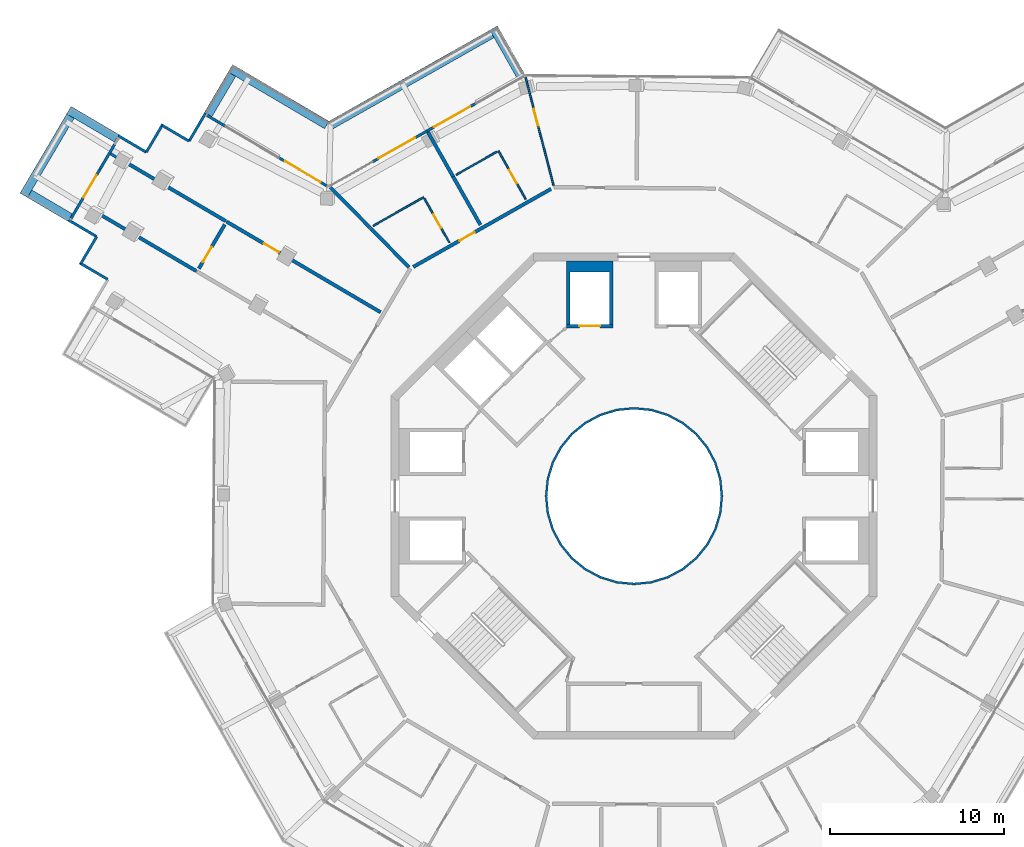
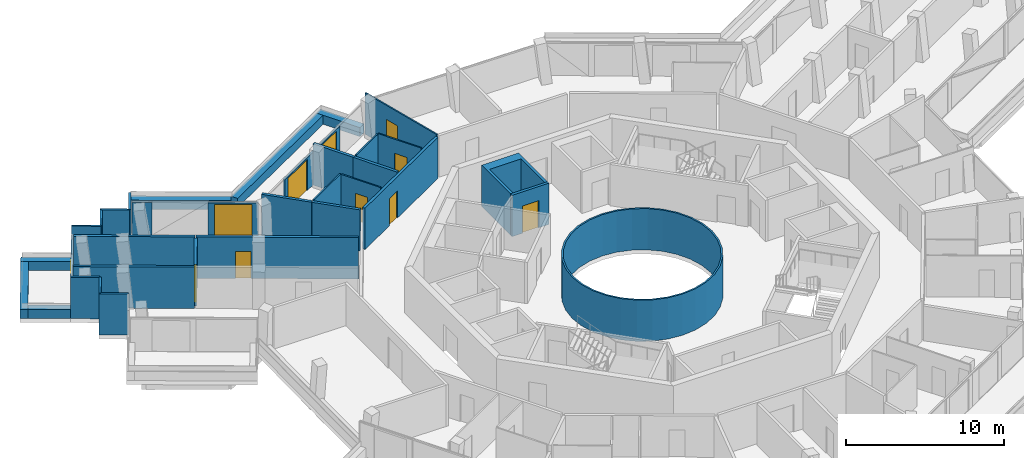
# One storey, part 19 of 24: 37 walls, 11 doors, 11 openings.
"""IFC4 building model written with IfcOpenShell, lengths in metres."""

from ifc_helpers import new_model, si_unit, direction, frame, frame_2d, origin, place, context, subcontext, project, spatial, polyline, rectangle, outline, extrude, material, layer, layer_set, type_object, element, fill, save


model = new_model("IFC4")

# Units and contexts
model_context = context("Model", 3, precision=1e-05, world=origin(), true_north=direction((0.0, 1.0)))
body_context = subcontext(model_context, "Body", "Model", "MODEL_VIEW")
ifc_project = project(units=[si_unit("LENGTHUNIT", "METRE"), si_unit("AREAUNIT", "SQUARE_METRE"), si_unit("VOLUMEUNIT", "CUBIC_METRE"), si_unit("PLANEANGLEUNIT", "RADIAN"), si_unit("MASSUNIT", "GRAM", prefix="KILO")], contexts=[model_context])

# Site, building, storey
site_placement = place(None, origin())
site = spatial("IfcSite", under=ifc_project, at=site_placement, CompositionType="ELEMENT")
building_placement = place(site_placement, origin())
building = spatial("IfcBuilding", under=site, at=building_placement, Name="Verdalira Terraces Hotel", CompositionType="ELEMENT")
storey_placement = place(building_placement, frame((0.0, 0.0, 277.5)))
storey = spatial("IfcBuildingStorey", under=building, at=storey_placement, Name="L68", CompositionType="ELEMENT", Elevation=277.5)

# Walls
ifc_material_1 = material(Name="Fire-resisting glass EI 180", Category="glass")
ifc_layer_1 = layer(ifc_material_1, 0.1201171875)
ifc_layer_set_1 = layer_set([ifc_layer_1], Name="Atrium fire screen 120 mm")
wall_type_1 = type_object("IfcWallType", Name="Atrium fire screen 120 mm", PredefinedType="SOLIDWALL", material=ifc_layer_set_1)
wall_1_placement = place(storey_placement, origin())
element("IfcWall", 1, at=wall_1_placement, inside=storey, type_object=wall_type_1, Name="Atrium fire screen", PredefinedType="SOLIDWALL", context=body_context, shape_type="SweptSolid", body=[
    extrude(outline(polyline([(5.021484, -0.998779), (4.730225, -1.959229), (4.25708, -2.844482), (3.620361, -3.620361), (2.844482, -4.25708), (1.959229, -4.730225), (0.998779, -5.021484), (0.0, -5.120117), (-0.998779, -5.021484), (-1.959229, -4.730225), (-2.844482, -4.25708), (-3.620361, -3.620361), (-4.25708, -2.844482), (-4.730225, -1.959229), (-5.021484, -0.998779), (-5.120117, 0.0), (-5.021484, 0.998779), (-4.730225, 1.959229), (-4.25708, 2.844482), (-3.620361, 3.620361), (-2.844482, 4.25708), (-1.959229, 4.730225), (-0.998779, 5.021484), (0.0, 5.120117), (0.998779, 5.021484), (1.959229, 4.730225), (2.844482, 4.25708), (3.620361, 3.620361), (4.25708, 2.844482), (4.730225, 1.959229), (5.021484, 0.998779), (5.120117, 0.0), (5.021484, -0.998779)]), holes=[polyline([(4.903809, 0.975586), (4.619385, 1.91333), (4.157227, 2.777832), (3.5354, 3.5354), (2.777832, 4.157227), (1.91333, 4.619385), (0.975586, 4.903809), (0.0, 5.0), (-0.975586, 4.903809), (-1.91333, 4.619385), (-2.777832, 4.157227), (-3.5354, 3.5354), (-4.157227, 2.777832), (-4.619385, 1.91333), (-4.903809, 0.975586), (-5.0, 0.0), (-4.903809, -0.975586), (-4.619385, -1.91333), (-4.157227, -2.777832), (-3.5354, -3.5354), (-2.777832, -4.157227), (-1.91333, -4.619385), (-0.975586, -4.903809), (0.0, -5.0), (0.975586, -4.903809), (1.91333, -4.619385), (2.777832, -4.157227), (3.5354, -3.5354), (4.157227, -2.777832), (4.619385, -1.91333), (4.903809, -0.975586), (5.0, 0.0), (4.903809, 0.975586)])]), origin(), (0.0, 0.0, 1.0), 3.189941),
])
ifc_material_2 = material(Name="Concrete C40", Category="concrete")
ifc_layer_2 = layer(ifc_material_2, 0.5)
ifc_layer_set_2 = layer_set([ifc_layer_2], Name="Balcony planter trough with tree")
wall_type_2 = type_object("IfcWallType", Name="Balcony planter trough with tree", PredefinedType="SOLIDWALL", material=ifc_layer_set_2)
wall_2_placement = place(storey_placement, frame((-29.807861, 20.619141, 0.0), z_axis=(0.0, 0.0, 1.0), x_axis=(-0.861812548, 0.507226904, 0.0)))
element("IfcWall", 2, at=wall_2_placement, inside=storey, type_object=wall_type_2, Name="Balcony planter", PredefinedType="SOLIDWALL", context=body_context, shape_type="SweptSolid", body=[
    extrude(rectangle(XDim=3.198975, YDim=0.5, at=frame_2d((1.599609, 0.0))), origin(), (0.0, 0.0, 1.0), 0.699951),
])
wall_3_placement = place(storey_placement, frame((-32.476074, 21.899414, 0.0), z_axis=(0.0, 0.0, 1.0), x_axis=(-0.507269734, -0.861787339, 0.0)))
element("IfcWall", 3, at=wall_3_placement, inside=storey, type_object=wall_type_2, Name="Balcony planter", PredefinedType="SOLIDWALL", context=body_context, shape_type="SweptSolid", body=[
    extrude(rectangle(XDim=5.299805, YDim=0.5, at=frame_2d((2.649902, 0.0))), origin(), (0.0, 0.0, 1.0), 0.699951),
])
wall_4_placement = place(storey_placement, frame((-34.822266, 17.420654, 0.0), z_axis=(0.0, 0.0, 1.0), x_axis=(0.861803976, -0.507241467, 0.0)))
element("IfcWall", 4, at=wall_4_placement, inside=storey, type_object=wall_type_2, Name="Balcony planter", PredefinedType="SOLIDWALL", context=body_context, shape_type="SweptSolid", body=[
    extrude(rectangle(XDim=2.699219, YDim=0.5, at=frame_2d((1.349609, 0.0))), origin(), (0.0, 0.0, 1.0), 0.699951),
])
wall_5_placement = place(storey_placement, frame((-6.514648, 24.189697, 0.0), z_axis=(0.0, 0.0, 1.0), x_axis=(-0.492715997, 0.870190179, 0.0)))
element("IfcWall", 5, at=wall_5_placement, inside=storey, type_object=wall_type_2, Name="Balcony planter", PredefinedType="SOLIDWALL", context=body_context, shape_type="SweptSolid", body=[
    extrude(rectangle(XDim=3.198975, YDim=0.5, at=frame_2d((1.599609, 0.0))), origin(), (0.0, 0.0, 1.0), 0.699951),
])
wall_6_placement = place(storey_placement, frame((-8.185303, 26.632568, 0.0), z_axis=(0.0, 0.0, 1.0), x_axis=(-0.870181396, -0.492731507, 0.0)))
element("IfcWall", 6, at=wall_6_placement, inside=storey, type_object=wall_type_2, Name="Balcony planter", PredefinedType="SOLIDWALL", context=body_context, shape_type="SweptSolid", body=[
    extrude(rectangle(XDim=10.652344, YDim=0.5, at=frame_2d((5.326172, 0.0))), origin(), (0.0, 0.0, 1.0), 0.699951),
])
wall_7_placement = place(storey_placement, frame((-17.704834, 21.385986, 0.0), z_axis=(0.0, 0.0, 1.0), x_axis=(-0.861810432, 0.507230499, 0.0)))
element("IfcWall", 7, at=wall_7_placement, inside=storey, type_object=wall_type_2, Name="Balcony planter", PredefinedType="SOLIDWALL", context=body_context, shape_type="SweptSolid", body=[
    extrude(rectangle(XDim=6.440674, YDim=0.5, at=frame_2d((3.220215, 0.0))), origin(), (0.0, 0.0, 1.0), 0.699951),
])
wall_8_placement = place(storey_placement, frame((-23.166748, 24.310547, 0.0), z_axis=(0.0, 0.0, 1.0), x_axis=(-0.507213825, -0.861820245, 0.0)))
element("IfcWall", 8, at=wall_8_placement, inside=storey, type_object=wall_type_2, Name="Balcony planter", PredefinedType="SOLIDWALL", context=body_context, shape_type="SweptSolid", body=[
    extrude(rectangle(XDim=2.698975, YDim=0.5, at=frame_2d((1.349609, 0.0))), origin(), (0.0, 0.0, 1.0), 0.699951),
])
ifc_material_3 = material(Name="Moisture-resistant gypsum board partition")
ifc_layer_3 = layer(ifc_material_3, 0.10009765625)
ifc_layer_set_3 = layer_set([ifc_layer_3], Name="Bathroom partition 100 mm")
wall_type_3 = type_object("IfcWallType", Name="Bathroom partition 100 mm", PredefinedType="PARTITIONING", material=ifc_layer_set_3)
wall_9_placement = place(storey_placement, frame((-15.033203, 15.57251, 0.0), z_axis=(0.0, 0.0, 1.0), x_axis=(0.87016489, 0.492760656, 0.0)))
element("IfcWall", 9, at=wall_9_placement, inside=storey, type_object=wall_type_3, Name="Bathroom partition", PredefinedType="PARTITIONING", context=body_context, shape_type="SweptSolid", body=[
    extrude(rectangle(XDim=3.350342, YDim=0.100098, at=frame_2d((1.675293, 0.0))), origin(), (0.0, 0.0, 1.0), 3.189941),
])

# Wall, opening, door
wall_10_placement = place(storey_placement, frame((-10.639648, 14.612793, 0.0), z_axis=(0.0, 0.0, 1.0), x_axis=(-0.492717305, 0.870189438, 0.0)))
wall_10 = element("IfcWall", 10, at=wall_10_placement, inside=storey, type_object=wall_type_3, Name="Bathroom partition", PredefinedType="PARTITIONING", context=body_context, shape_type="SweptSolid", body=[
    extrude(rectangle(XDim=2.900146, YDim=0.100098, at=frame_2d((1.450195, 0.0))), origin(), (0.0, 0.0, 1.0), 3.189941),
])
opening_1_placement = place(wall_10_placement, frame((0.949951, 0.0, 0.0)))
opening_1 = element("IfcOpeningElement", 11, at=opening_1_placement, cuts=wall_10, Name="Opening L68-134", PredefinedType="OPENING", context=body_context, shape_type="SweptSolid", body=[
    extrude(rectangle(XDim=0.899902, YDim=2.100098, at=frame_2d((0.449951, 1.050049))), frame((0.0, 0.060059, 0.0), z_axis=(0.0, -1.0, 0.0), x_axis=(1.0, 0.0, 0.0)), (0.0, 0.0, 1.0), 0.120117),
])
ifc_material_4 = material(Name="Timber door", Category="wood")
door_type_1 = type_object("IfcDoorType", Name="Bathroom door 900 x 2100", OperationType="NOTDEFINED", PredefinedType="DOOR", material=ifc_material_4)
door_1_placement = place(opening_1_placement, origin())
door_1 = element("IfcDoor", 12, at=door_1_placement, inside=storey, type_object=door_type_1, Name="Bathroom door 6811", OperationType="SINGLE_SWING_RIGHT", OverallHeight=2.10009765625, OverallWidth=0.89990234375, PredefinedType="DOOR", context=body_context, shape_type="SweptSolid", body=[
    extrude(rectangle(XDim=0.899902, YDim=2.100098, at=frame_2d((0.449951, 1.050049))), frame((0.0, 0.024902, 0.0), z_axis=(0.0, -1.0, 0.0), x_axis=(1.0, 0.0, 0.0)), (0.0, 0.0, 1.0), 0.050049),
])
fill(opening_1, door_1)

# Wall
wall_11_placement = place(storey_placement, frame((-7.901855, 19.840576, 0.0), z_axis=(0.0, 0.0, 1.0), x_axis=(-0.870178583, -0.492736475, 0.0)))
element("IfcWall", 13, at=wall_11_placement, inside=storey, type_object=wall_type_3, Name="Bathroom partition", PredefinedType="PARTITIONING", context=body_context, shape_type="SweptSolid", body=[
    extrude(rectangle(XDim=2.699951, YDim=0.100098, at=frame_2d((1.350098, 0.0))), origin(), (0.0, 0.0, 1.0), 3.189941),
])

# Wall, opening, door
wall_12_placement = place(storey_placement, frame((-6.238037, 17.105225, 0.0), z_axis=(0.0, 0.0, 1.0), x_axis=(-0.492700695, 0.870198842, 0.0)))
wall_12 = element("IfcWall", 14, at=wall_12_placement, inside=storey, type_object=wall_type_3, Name="Bathroom partition", PredefinedType="PARTITIONING", context=body_context, shape_type="SweptSolid", body=[
    extrude(rectangle(XDim=3.199951, YDim=0.100098, at=frame_2d((1.600098, 0.0))), origin(), (0.0, 0.0, 1.0), 3.189941),
])
opening_2_placement = place(wall_12_placement, frame((1.050049, 0.0, 0.0)))
opening_2 = element("IfcOpeningElement", 15, at=opening_2_placement, cuts=wall_12, Name="Opening L68-132", PredefinedType="OPENING", context=body_context, shape_type="SweptSolid", body=[
    extrude(rectangle(XDim=0.899902, YDim=2.100098, at=frame_2d((0.449951, 1.050049))), frame((0.0, 0.060059, 0.0), z_axis=(0.0, -1.0, 0.0), x_axis=(1.0, 0.0, 0.0)), (0.0, 0.0, 1.0), 0.120117),
])
door_2_placement = place(opening_2_placement, origin())
door_2 = element("IfcDoor", 16, at=door_2_placement, inside=storey, type_object=door_type_1, Name="Bathroom door 6810", OperationType="SINGLE_SWING_RIGHT", OverallHeight=2.10009765625, OverallWidth=0.89990234375, PredefinedType="DOOR", context=body_context, shape_type="SweptSolid", body=[
    extrude(rectangle(XDim=0.899902, YDim=2.100098, at=frame_2d((0.449951, 1.050049))), frame((0.0, 0.024902, 0.0), z_axis=(0.0, -1.0, 0.0), x_axis=(1.0, 0.0, 0.0)), (0.0, 0.0, 1.0), 0.050049),
])
fill(opening_2, door_2)

wall_13_placement = place(storey_placement, frame((-4.635254, 17.897705, 0.0), z_axis=(0.0, 0.0, 1.0), x_axis=(-0.250705712, 0.968063348, 0.0)))
wall_13 = element("IfcWall", 17, at=wall_13_placement, inside=storey, type_object=wall_type_3, Name="Bathroom partition", PredefinedType="PARTITIONING", context=body_context, shape_type="SweptSolid", body=[
    extrude(rectangle(XDim=6.47583, YDim=0.100098, at=frame_2d((3.237793, 0.0))), origin(), (0.0, 0.0, 1.0), 3.189941),
])
opening_3_placement = place(wall_13_placement, frame((3.550049, 0.0, 0.0)))
opening_3 = element("IfcOpeningElement", 18, at=opening_3_placement, cuts=wall_13, Name="Opening L68-131", PredefinedType="OPENING", context=body_context, shape_type="SweptSolid", body=[
    extrude(rectangle(XDim=1.0, YDim=2.100098, at=frame_2d((0.5, 1.050049))), frame((0.0, 0.060059, 0.0), z_axis=(0.0, -1.0, 0.0), x_axis=(1.0, 0.0, 0.0)), (0.0, 0.0, 1.0), 0.120117),
])
ifc_material_5 = material(Name="Timber door", Category="wood")
door_type_2 = type_object("IfcDoorType", Name="Suite internal door 1000 x 2100", OperationType="NOTDEFINED", PredefinedType="DOOR", material=ifc_material_5)
door_3_placement = place(opening_3_placement, origin())
door_3 = element("IfcDoor", 19, at=door_3_placement, inside=storey, type_object=door_type_2, Name="Suite internal door 6810", OperationType="SINGLE_SWING_LEFT", OverallHeight=2.10009765625, OverallWidth=1.0, PredefinedType="DOOR", context=body_context, shape_type="SweptSolid", body=[
    extrude(rectangle(XDim=1.0, YDim=2.100098, at=frame_2d((0.5, 1.050049))), frame((0.0, 0.024902, 0.0), z_axis=(0.0, -1.0, 0.0), x_axis=(1.0, 0.0, 0.0)), (0.0, 0.0, 1.0), 0.050049),
])
fill(opening_3, door_3)

# Wall
ifc_material_6 = material(Name="Concrete C50", Category="concrete")
ifc_layer_4 = layer(ifc_material_6, 0.199951171875)
ifc_layer_set_4 = layer_set([ifc_layer_4], Name="Core RC wall 200 C50")
wall_type_4 = type_object("IfcWallType", Name="Core RC wall 200 C50", PredefinedType="SOLIDWALL", material=ifc_layer_set_4)
wall_14_placement = place(storey_placement, origin())
element("IfcWall", 20, at=wall_14_placement, inside=storey, type_object=wall_type_4, Name="L68 shaft wall N2", PredefinedType="SOLIDWALL", context=body_context, shape_type="SweptSolid", body=[
    extrude(outline(polyline([(-3.899902, 13.550049), (-1.199951, 13.550049), (-1.199951, 9.899902), (-1.399902, 9.899902), (-1.399902, 12.899902), (-3.699951, 12.899902), (-3.699951, 9.899902), (-3.899902, 9.899902), (-3.899902, 13.550049)])), origin(), (0.0, 0.0, 1.0), 3.189941),
])

# Wall, opening, door
wall_15_placement = place(storey_placement, frame((-1.199951, 9.800049, 0.0), z_axis=(0.0, 0.0, 1.0), x_axis=(-1.0, 0.0, 0.0)))
wall_15 = element("IfcWall", 21, at=wall_15_placement, inside=storey, type_object=wall_type_4, Name="L68 shaft front wall N2", PredefinedType="SOLIDWALL", context=body_context, shape_type="SweptSolid", body=[
    extrude(rectangle(XDim=2.699951, YDim=0.199951, at=frame_2d((1.350098, 0.0))), origin(), (0.0, 0.0, 1.0), 3.189941),
])
opening_4_placement = place(wall_15_placement, frame((0.75, 0.0, 0.0)))
opening_4 = element("IfcOpeningElement", 22, at=opening_4_placement, cuts=wall_15, Name="Opening LD-L68-805", PredefinedType="OPENING", context=body_context, shape_type="SweptSolid", body=[
    extrude(rectangle(XDim=1.199951, YDim=2.100098, at=frame_2d((0.600098, 1.050049))), frame((0.0, 0.109863, 0.0), z_axis=(0.0, -1.0, 0.0), x_axis=(1.0, 0.0, 0.0)), (0.0, 0.0, 1.0), 0.219971),
])
ifc_material_7 = material(Name="Stainless steel", Category="steel")
door_type_3 = type_object("IfcDoorType", Name="Landing door 1200 x 2100", OperationType="NOTDEFINED", PredefinedType="DOOR", material=ifc_material_7)
door_4_placement = place(opening_4_placement, origin())
door_4 = element("IfcDoor", 23, at=door_4_placement, inside=storey, type_object=door_type_3, Name="Lift landing door HR4 L68", OperationType="DOUBLE_DOOR_SLIDING", OverallHeight=2.10009765625, OverallWidth=1.199951171875, PredefinedType="DOOR", context=body_context, shape_type="SweptSolid", body=[
    extrude(rectangle(XDim=1.199951, YDim=2.100098, at=frame_2d((0.600098, 1.050049))), frame((0.0, 0.024902, 0.0), z_axis=(0.0, -1.0, 0.0), x_axis=(1.0, 0.0, 0.0)), (0.0, 0.0, 1.0), 0.050049),
])
fill(opening_4, door_4)

# Walls
ifc_material_8 = material(Name="Fire-rated gypsum board wall")
ifc_layer_5 = layer(ifc_material_8, 0.199951171875)
ifc_layer_set_5 = layer_set([ifc_layer_5], Name="Demising wall 200 mm")
wall_type_5 = type_object("IfcWallType", Name="Demising wall 200 mm", PredefinedType="SOLIDWALL", material=ifc_layer_set_5)
for number, where, z_axis, x_axis, name in (
    (24, (-31.842773, 16.864014, 0.0), (0.0, 0.0, 1.0), (0.861812588, -0.507226837, 0.0), "Demising wall"),
    (25, (-23.520508, 15.843018, 0.0), (0.0, 0.0, 1.0), (-0.861812588, 0.507226837, 0.0), "Demising wall"),
):
    element("IfcWall", number, at=place(storey_placement, frame(where, z_axis=z_axis, x_axis=x_axis)), inside=storey, type_object=wall_type_5, Name=name, PredefinedType="SOLIDWALL", context=body_context, shape_type="SweptSolid", body=[
        extrude(rectangle(XDim=7.690186, YDim=0.199951, at=frame_2d((3.845215, 0.0))), origin(), (0.0, 0.0, 1.0), 3.189941),
    ])

# Wall, opening, door
wall_16_placement = place(storey_placement, frame((-25.07251, 13.111572, 0.0), z_axis=(0.0, 0.0, 1.0), x_axis=(0.507201503, 0.861827497, 0.0)))
wall_16 = element("IfcWall", 26, at=wall_16_placement, inside=storey, type_object=wall_type_5, Name="Demising wall", PredefinedType="SOLIDWALL", context=body_context, shape_type="SweptSolid", body=[
    extrude(rectangle(XDim=2.940918, YDim=0.199951, at=frame_2d((1.470459, 0.0))), origin(), (0.0, 0.0, 1.0), 3.189941),
])
opening_5_placement = place(wall_16_placement, frame((0.449951, 0.0, 0.0)))
opening_5 = element("IfcOpeningElement", 27, at=opening_5_placement, cuts=wall_16, Name="Opening L68-104", PredefinedType="OPENING", context=body_context, shape_type="SweptSolid", body=[
    extrude(rectangle(XDim=1.0, YDim=2.100098, at=frame_2d((0.5, 1.050049))), frame((0.0, 0.109863, 0.0), z_axis=(0.0, -1.0, 0.0), x_axis=(1.0, 0.0, 0.0)), (0.0, 0.0, 1.0), 0.219971),
])
ifc_material_9 = material(Name="Timber fire door", Category="wood")
door_type_4 = type_object("IfcDoorType", Name="Public room door 1000 x 2100", OperationType="NOTDEFINED", PredefinedType="DOOR", material=ifc_material_9)
door_5_placement = place(opening_5_placement, origin())
door_5 = element("IfcDoor", 28, at=door_5_placement, inside=storey, type_object=door_type_4, Name="Public room door 6801", OperationType="SINGLE_SWING_LEFT", OverallHeight=2.10009765625, OverallWidth=1.0, PredefinedType="DOOR", context=body_context, shape_type="SweptSolid", body=[
    extrude(rectangle(XDim=1.0, YDim=2.100098, at=frame_2d((0.5, 1.050049))), frame((0.0, 0.024902, 0.0), z_axis=(0.0, -1.0, 0.0), x_axis=(1.0, 0.0, 0.0)), (0.0, 0.0, 1.0), 0.050049),
])
fill(opening_5, door_5)

wall_17_placement = place(storey_placement, frame((-23.480957, 15.81958, 0.0), z_axis=(0.0, 0.0, 1.0), x_axis=(0.861807473, -0.507235526, 0.0)))
wall_17 = element("IfcWall", 29, at=wall_17_placement, inside=storey, type_object=wall_type_5, Name="Demising wall", PredefinedType="SOLIDWALL", context=body_context, shape_type="SweptSolid", body=[
    extrude(rectangle(XDim=10.302002, YDim=0.199951, at=frame_2d((5.150879, 0.0))), origin(), (0.0, 0.0, 1.0), 3.189941),
])
opening_6_placement = place(wall_17_placement, frame((2.5, 0.0, 0.0)))
opening_6 = element("IfcOpeningElement", 30, at=opening_6_placement, cuts=wall_17, Name="Opening L68-102", PredefinedType="OPENING", context=body_context, shape_type="SweptSolid", body=[
    extrude(rectangle(XDim=1.0, YDim=2.100098, at=frame_2d((0.5, 1.050049))), frame((0.0, 0.109863, 0.0), z_axis=(0.0, -1.0, 0.0), x_axis=(1.0, 0.0, 0.0)), (0.0, 0.0, 1.0), 0.219971),
])
door_6_placement = place(opening_6_placement, origin())
door_6 = element("IfcDoor", 31, at=door_6_placement, inside=storey, type_object=door_type_4, Name="Public room door 6801", OperationType="SINGLE_SWING_LEFT", OverallHeight=2.10009765625, OverallWidth=1.0, PredefinedType="DOOR", context=body_context, shape_type="SweptSolid", body=[
    extrude(rectangle(XDim=1.0, YDim=2.100098, at=frame_2d((0.5, 1.050049))), frame((0.0, 0.024902, 0.0), z_axis=(0.0, -1.0, 0.0), x_axis=(1.0, 0.0, 0.0)), (0.0, 0.0, 1.0), 0.050049),
])
fill(opening_6, door_6)

# Walls
wall_18_placement = place(storey_placement, frame((-17.503906, 17.799561, 0.0), z_axis=(0.0, 0.0, 1.0), x_axis=(0.70118172, -0.712982605, 0.0)))
element("IfcWall", 32, at=wall_18_placement, inside=storey, type_object=wall_type_5, Name="Demising wall", PredefinedType="SOLIDWALL", context=body_context, shape_type="SweptSolid", body=[
    extrude(rectangle(XDim=3.268799, YDim=0.199951, at=frame_2d((1.634277, 0.0))), origin(), (0.0, 0.0, 1.0), 3.189941),
])
wall_19_placement = place(storey_placement, frame((-15.179688, 15.436279, 0.0), z_axis=(0.0, 0.0, 1.0), x_axis=(0.70117398, -0.712990217, 0.0)))
element("IfcWall", 33, at=wall_19_placement, inside=storey, type_object=wall_type_5, Name="Demising wall", PredefinedType="SOLIDWALL", context=body_context, shape_type="SweptSolid", body=[
    extrude(rectangle(XDim=3.161133, YDim=0.199951, at=frame_2d((1.580566, 0.0))), origin(), (0.0, 0.0, 1.0), 3.189941),
])
wall_20_placement = place(storey_placement, frame((-10.425293, 18.411621, 0.0), z_axis=(0.0, 0.0, 1.0), x_axis=(-0.49273066, 0.870181876, 0.0)))
element("IfcWall", 34, at=wall_20_placement, inside=storey, type_object=wall_type_5, Name="Demising wall", PredefinedType="SOLIDWALL", context=body_context, shape_type="SweptSolid", body=[
    extrude(rectangle(XDim=2.950195, YDim=0.199951, at=frame_2d((1.475098, 0.0))), origin(), (0.0, 0.0, 1.0), 3.189941),
])
wall_21_placement = place(storey_placement, frame((-8.848633, 15.626953, 0.0), z_axis=(0.0, 0.0, 1.0), x_axis=(-0.492700695, 0.870198842, 0.0)))
element("IfcWall", 35, at=wall_21_placement, inside=storey, type_object=wall_type_5, Name="Demising wall", PredefinedType="SOLIDWALL", context=body_context, shape_type="SweptSolid", body=[
    extrude(rectangle(XDim=3.199951, YDim=0.199951, at=frame_2d((1.600098, 0.0))), origin(), (0.0, 0.0, 1.0), 3.189941),
])

# Wall, opening, door
ifc_material_10 = material(Name="Fire-rated gypsum board wall")
ifc_layer_6 = layer(ifc_material_10, 0.199951171875)
ifc_layer_set_6 = layer_set([ifc_layer_6], Name="Guest corridor wall 200 mm")
wall_type_6 = type_object("IfcWallType", Name="Guest corridor wall 200 mm", PredefinedType="SOLIDWALL", material=ifc_layer_set_6)
wall_22_placement = place(storey_placement, frame((-12.716553, 13.207031, 0.0), z_axis=(0.0, 0.0, 1.0), x_axis=(0.870186015, 0.492723349, 0.0)))
wall_22 = element("IfcWall", 36, at=wall_22_placement, inside=storey, type_object=wall_type_6, Name="Guest corridor wall", PredefinedType="SOLIDWALL", context=body_context, shape_type="SweptSolid", body=[
    extrude(rectangle(XDim=9.116455, YDim=0.199951, at=frame_2d((4.558105, 0.0))), origin(), (0.0, 0.0, 1.0), 3.189941),
])
opening_7_placement = place(wall_22_placement, frame((3.050049, 0.0, 0.0)))
opening_7 = element("IfcOpeningElement", 37, at=opening_7_placement, cuts=wall_22, Name="Opening L68-133", PredefinedType="OPENING", context=body_context, shape_type="SweptSolid", body=[
    extrude(rectangle(XDim=1.0, YDim=2.100098, at=frame_2d((0.5, 1.050049))), frame((0.0, 0.109863, 0.0), z_axis=(0.0, -1.0, 0.0), x_axis=(1.0, 0.0, 0.0)), (0.0, 0.0, 1.0), 0.219971),
])
ifc_material_11 = material(Name="Timber fire door", Category="wood")
door_type_5 = type_object("IfcDoorType", Name="Guest entry door 1000 x 2100", OperationType="NOTDEFINED", PredefinedType="DOOR", material=ifc_material_11)
door_7_placement = place(opening_7_placement, origin())
door_7 = element("IfcDoor", 38, at=door_7_placement, inside=storey, type_object=door_type_5, Name="Guest entry door 6811", OperationType="SINGLE_SWING_RIGHT", OverallHeight=2.10009765625, OverallWidth=1.0, PredefinedType="DOOR", context=body_context, shape_type="SweptSolid", body=[
    extrude(rectangle(XDim=1.0, YDim=2.100098, at=frame_2d((0.5, 1.050049))), frame((0.0, 0.024902, 0.0), z_axis=(0.0, -1.0, 0.0), x_axis=(1.0, 0.0, 0.0)), (0.0, 0.0, 1.0), 0.050049),
])
fill(opening_7, door_7)

# Walls
ifc_material_12 = material(Name="Terracotta cladding", Category="masonry")
ifc_layer_7 = layer(ifc_material_12, 0.14990234375)
ifc_layer_set_7 = layer_set([ifc_layer_7], Name="Terracotta clad wall 150")
wall_type_7 = type_object("IfcWallType", Name="Terracotta clad wall 150", PredefinedType="SOLIDWALL", material=ifc_layer_set_7)
wall_23_placement = place(storey_placement, frame((-24.687012, 22.07251, 0.0), z_axis=(0.0, 0.0, 1.0), x_axis=(-0.507259086, -0.861793606, 0.0)))
element("IfcWall", 39, at=wall_23_placement, inside=storey, type_object=wall_type_7, Name="Terracotta cladding wall", PredefinedType="SOLIDWALL", context=body_context, shape_type="SweptSolid", body=[
    extrude(rectangle(XDim=1.875, YDim=0.149902, at=frame_2d((0.9375, 0.0))), origin(), (0.0, 0.0, 1.0), 3.189941),
])
wall_24_placement = place(storey_placement, frame((-25.638184, 20.456543, 0.0), z_axis=(0.0, 0.0, 1.0), x_axis=(-0.861759812, 0.507316496, 0.0)))
element("IfcWall", 40, at=wall_24_placement, inside=storey, type_object=wall_type_7, Name="Terracotta cladding wall", PredefinedType="SOLIDWALL", context=body_context, shape_type="SweptSolid", body=[
    extrude(rectangle(XDim=1.799805, YDim=0.149902, at=frame_2d((0.899902, 0.0))), origin(), (0.0, 0.0, 1.0), 3.189941),
])
for number, where, z_axis, x_axis, name in (
    (41, (-27.151367, 21.434326, 0.0), (0.0, 0.0, 1.0), (-0.507162378, -0.861850522, 0.0), "Terracotta cladding wall"),
    (42, (-28.102295, 19.818359, 0.0), (0.0, 0.0, 1.0), (-0.861850522, 0.507162378, 0.0), "Terracotta cladding wall"),
    (43, (-32.584229, 15.900146, 0.0), (0.0, 0.0, 1.0), (0.861850522, -0.507162378, 0.0), "Terracotta cladding wall"),
):
    element("IfcWall", number, at=place(storey_placement, frame(where, z_axis=z_axis, x_axis=x_axis)), inside=storey, type_object=wall_type_7, Name=name, PredefinedType="SOLIDWALL", context=body_context, shape_type="SweptSolid", body=[
        extrude(rectangle(XDim=1.875, YDim=0.149902, at=frame_2d((0.9375, 0.0))), origin(), (0.0, 0.0, 1.0), 3.189941),
    ])
wall_25_placement = place(storey_placement, frame((-30.968262, 14.949219, 0.0), z_axis=(0.0, 0.0, 1.0), x_axis=(-0.507257199, -0.861794717, 0.0)))
element("IfcWall", 44, at=wall_25_placement, inside=storey, type_object=wall_type_7, Name="Terracotta cladding wall", PredefinedType="SOLIDWALL", context=body_context, shape_type="SweptSolid", body=[
    extrude(rectangle(XDim=1.800049, YDim=0.149902, at=frame_2d((0.899902, 0.0))), origin(), (0.0, 0.0, 1.0), 3.189941),
])
wall_26_placement = place(storey_placement, frame((-31.945801, 13.436035, 0.0), z_axis=(0.0, 0.0, 1.0), x_axis=(0.861760099, -0.507316008, 0.0)))
element("IfcWall", 45, at=wall_26_placement, inside=storey, type_object=wall_type_7, Name="Terracotta cladding wall", PredefinedType="SOLIDWALL", context=body_context, shape_type="SweptSolid", body=[
    extrude(rectangle(XDim=1.875, YDim=0.149902, at=frame_2d((0.9375, 0.0))), origin(), (0.0, 0.0, 1.0), 3.189941),
])
ifc_material_13 = material(Name="Terracotta cladding", Category="masonry")
ifc_layer_8 = layer(ifc_material_13, 0.14990234375)
ifc_layer_set_8 = layer_set([ifc_layer_8], Name="Terracotta column pier 150")
wall_type_8 = type_object("IfcWallType", Name="Terracotta column pier 150", PredefinedType="SOLIDWALL", material=ifc_layer_set_8)
wall_27_placement = place(storey_placement, frame((-23.505615, 21.290039, 0.0), z_axis=(0.0, 0.0, 1.0), x_axis=(-0.861771096, 0.507297328, 0.0)))
element("IfcWall", 46, at=wall_27_placement, inside=storey, type_object=wall_type_8, Name="Terracotta column pier", PredefinedType="SOLIDWALL", context=body_context, shape_type="SweptSolid", body=[
    extrude(rectangle(XDim=1.27002, YDim=0.149902, at=frame_2d((0.63501, 0.0))), origin(), (0.0, 0.0, 1.0), 2.524902),
])
wall_28_placement = place(storey_placement, frame((-29.935059, 20.253174, 0.0), z_axis=(0.0, 0.0, 1.0), x_axis=(-0.50727537, -0.861784021, 0.0)))
element("IfcWall", 47, at=wall_28_placement, inside=storey, type_object=wall_type_8, Name="Terracotta column pier", PredefinedType="SOLIDWALL", context=body_context, shape_type="SweptSolid", body=[
    extrude(rectangle(XDim=1.630127, YDim=0.149902, at=frame_2d((0.814941, 0.0))), origin(), (0.0, 0.0, 1.0), 2.524902),
])

# Wall, opening, door
ifc_material_14 = material(Name="Terracotta cladding", Category="masonry")
ifc_layer_9 = layer(ifc_material_14, 0.14990234375)
ifc_layer_set_9 = layer_set([ifc_layer_9], Name="Terracotta door pier 150")
wall_type_9 = type_object("IfcWallType", Name="Terracotta door pier 150", PredefinedType="SOLIDWALL", material=ifc_layer_set_9)
wall_29_placement = place(storey_placement, frame((-17.707275, 17.877441, 0.0), z_axis=(0.0, 0.0, 1.0), x_axis=(-0.861824362, 0.507206831, 0.0)))
wall_29 = element("IfcWall", 48, at=wall_29_placement, inside=storey, type_object=wall_type_9, Name="Terracotta door pier", PredefinedType="SOLIDWALL", context=body_context, shape_type="SweptSolid", body=[
    extrude(rectangle(XDim=3.199951, YDim=0.149902, at=frame_2d((1.600098, 0.0))), origin(), (0.0, 0.0, 1.0), 2.524902),
])
opening_8_placement = place(wall_29_placement, frame((0.399902, 0.0, 0.0)))
opening_8 = element("IfcOpeningElement", 49, at=opening_8_placement, cuts=wall_29, Name="Opening L68-B01", PredefinedType="OPENING", context=body_context, shape_type="SweptSolid", body=[
    extrude(rectangle(XDim=2.399902, YDim=2.399902, at=frame_2d((1.199951, 1.199951))), frame((0.0, 0.084961, 0.0), z_axis=(0.0, -1.0, 0.0), x_axis=(1.0, 0.0, 0.0)), (0.0, 0.0, 1.0), 0.169922),
])
ifc_material_15 = material(Name="Clear glass", Category="glass")
door_type_6 = type_object("IfcDoorType", Name="Balcony sliding door 2400x2400", OperationType="NOTDEFINED", PredefinedType="DOOR", material=ifc_material_15)
door_8_placement = place(opening_8_placement, origin())
door_8 = element("IfcDoor", 50, at=door_8_placement, inside=storey, type_object=door_type_6, Name="Balcony sliding door", OperationType="SLIDING_TO_LEFT", OverallHeight=2.39990234375, OverallWidth=2.39990234375, PredefinedType="DOOR", context=body_context, shape_type="SweptSolid", body=[
    extrude(rectangle(XDim=2.399902, YDim=2.399902, at=frame_2d((1.199951, 1.199951))), frame((0.0, 0.024902, 0.0), z_axis=(0.0, -1.0, 0.0), x_axis=(1.0, 0.0, 0.0)), (0.0, 0.0, 1.0), 0.050049),
])
fill(opening_8, door_8)

wall_30_placement = place(storey_placement, frame((-30.761963, 18.848389, 0.0), z_axis=(0.0, 0.0, 1.0), x_axis=(-0.507242525, -0.861803354, 0.0)))
wall_30 = element("IfcWall", 51, at=wall_30_placement, inside=storey, type_object=wall_type_9, Name="Terracotta door pier", PredefinedType="SOLIDWALL", context=body_context, shape_type="SweptSolid", body=[
    extrude(rectangle(XDim=3.310059, YDim=0.149902, at=frame_2d((1.655029, 0.0))), origin(), (0.0, 0.0, 1.0), 2.524902),
])
opening_9_placement = place(wall_30_placement, frame((0.399902, 0.0, 0.0)))
opening_9 = element("IfcOpeningElement", 52, at=opening_9_placement, cuts=wall_30, Name="Opening L68-B02", PredefinedType="OPENING", context=body_context, shape_type="SweptSolid", body=[
    extrude(rectangle(XDim=1.5, YDim=2.399902, at=frame_2d((0.75, 1.199951))), frame((0.0, 0.084961, 0.0), z_axis=(0.0, -1.0, 0.0), x_axis=(1.0, 0.0, 0.0)), (0.0, 0.0, 1.0), 0.169922),
])
ifc_material_16 = material(Name="Clear glass", Category="glass")
door_type_7 = type_object("IfcDoorType", Name="Balcony sliding door 1500x2400", OperationType="NOTDEFINED", PredefinedType="DOOR", material=ifc_material_16)
door_9_placement = place(opening_9_placement, origin())
door_9 = element("IfcDoor", 53, at=door_9_placement, inside=storey, type_object=door_type_7, Name="Balcony sliding door", OperationType="SLIDING_TO_RIGHT", OverallHeight=2.39990234375, OverallWidth=1.5, PredefinedType="DOOR", context=body_context, shape_type="SweptSolid", body=[
    extrude(rectangle(XDim=1.5, YDim=2.399902, at=frame_2d((0.75, 1.199951))), frame((0.0, 0.024902, 0.0), z_axis=(0.0, -1.0, 0.0), x_axis=(1.0, 0.0, 0.0)), (0.0, 0.0, 1.0), 0.050049),
])
fill(opening_9, door_9)

wall_31_placement = place(storey_placement, frame((-9.087646, 22.645264, 0.0), z_axis=(0.0, 0.0, 1.0), x_axis=(-0.870191834, -0.492713073, 0.0)))
wall_31 = element("IfcWall", 54, at=wall_31_placement, inside=storey, type_object=wall_type_9, Name="Terracotta door pier", PredefinedType="SOLIDWALL", context=body_context, shape_type="SweptSolid", body=[
    extrude(rectangle(XDim=3.25, YDim=0.149902, at=frame_2d((1.625, 0.0))), origin(), (0.0, 0.0, 1.0), 2.524902),
])
opening_10_placement = place(wall_31_placement, frame((0.399902, 0.0, 0.0)))
opening_10 = element("IfcOpeningElement", 55, at=opening_10_placement, cuts=wall_31, Name="Opening L68-B18", PredefinedType="OPENING", context=body_context, shape_type="SweptSolid", body=[
    extrude(rectangle(XDim=2.399902, YDim=2.399902, at=frame_2d((1.199951, 1.199951))), frame((0.0, 0.084961, 0.0), z_axis=(0.0, -1.0, 0.0), x_axis=(1.0, 0.0, 0.0)), (0.0, 0.0, 1.0), 0.169922),
])
door_10_placement = place(opening_10_placement, origin())
door_10 = element("IfcDoor", 56, at=door_10_placement, inside=storey, type_object=door_type_6, Name="Balcony sliding door", OperationType="SLIDING_TO_RIGHT", OverallHeight=2.39990234375, OverallWidth=2.39990234375, PredefinedType="DOOR", context=body_context, shape_type="SweptSolid", body=[
    extrude(rectangle(XDim=2.399902, YDim=2.399902, at=frame_2d((1.199951, 1.199951))), frame((0.0, 0.024902, 0.0), z_axis=(0.0, -1.0, 0.0), x_axis=(1.0, 0.0, 0.0)), (0.0, 0.0, 1.0), 0.050049),
])
fill(opening_10, door_10)

wall_32_placement = place(storey_placement, frame((-11.915771, 21.043945, 0.0), z_axis=(0.0, 0.0, 1.0), x_axis=(-0.870199981, -0.492698684, 0.0)))
wall_32 = element("IfcWall", 57, at=wall_32_placement, inside=storey, type_object=wall_type_9, Name="Terracotta door pier", PredefinedType="SOLIDWALL", context=body_context, shape_type="SweptSolid", body=[
    extrude(rectangle(XDim=3.611328, YDim=0.149902, at=frame_2d((1.805664, 0.0))), origin(), (0.0, 0.0, 1.0), 2.524902),
])
opening_11_placement = place(wall_32_placement, frame((0.811279, 0.0, 0.0)))
opening_11 = element("IfcOpeningElement", 58, at=opening_11_placement, cuts=wall_32, Name="Opening L68-B19", PredefinedType="OPENING", context=body_context, shape_type="SweptSolid", body=[
    extrude(rectangle(XDim=2.399902, YDim=2.399902, at=frame_2d((1.199951, 1.199951))), frame((0.0, 0.084961, 0.0), z_axis=(0.0, -1.0, 0.0), x_axis=(1.0, 0.0, 0.0)), (0.0, 0.0, 1.0), 0.169922),
])
door_11_placement = place(opening_11_placement, origin())
door_11 = element("IfcDoor", 59, at=door_11_placement, inside=storey, type_object=door_type_6, Name="Balcony sliding door", OperationType="SLIDING_TO_LEFT", OverallHeight=2.39990234375, OverallWidth=2.39990234375, PredefinedType="DOOR", context=body_context, shape_type="SweptSolid", body=[
    extrude(rectangle(XDim=2.399902, YDim=2.399902, at=frame_2d((1.199951, 1.199951))), frame((0.0, 0.024902, 0.0), z_axis=(0.0, -1.0, 0.0), x_axis=(1.0, 0.0, 0.0)), (0.0, 0.0, 1.0), 0.050049),
])
fill(opening_11, door_11)

save(model, "model.ifc")
